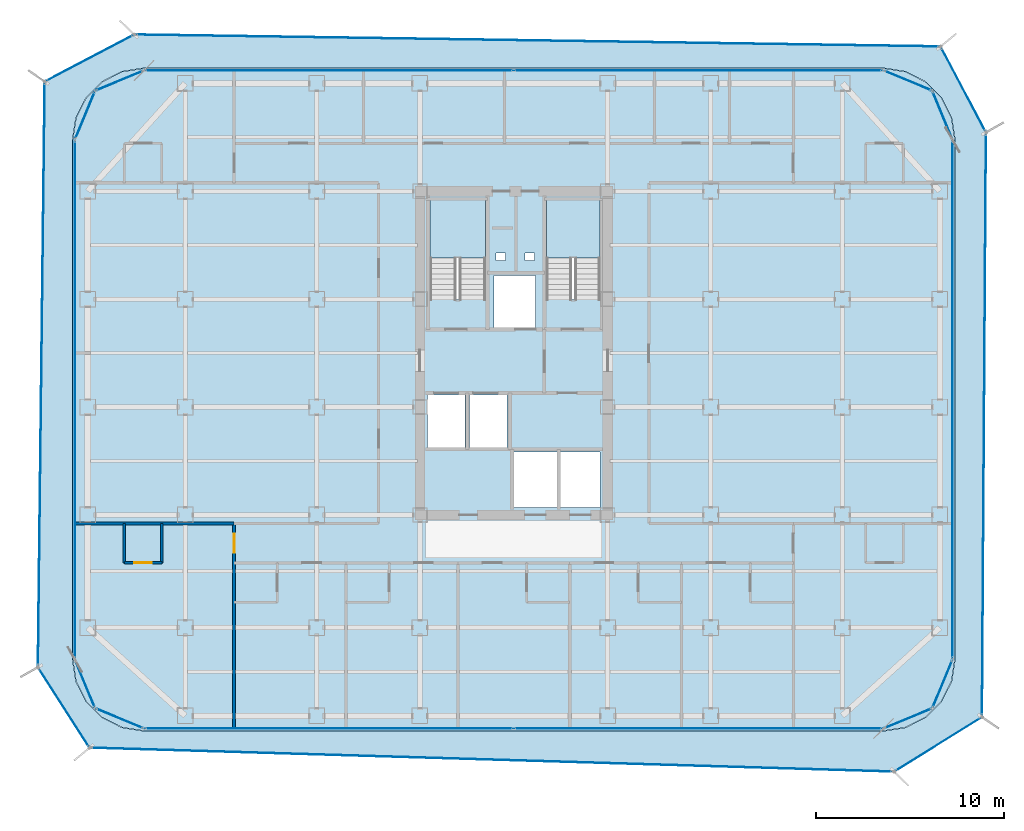
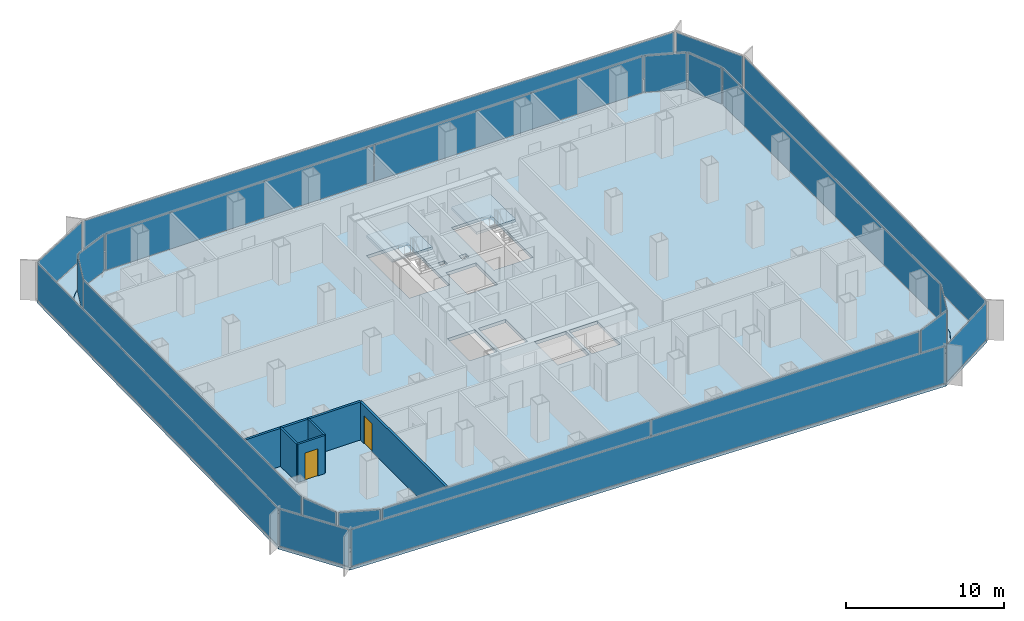
# One storey, part 15 of 21: 22 plates, 5 walls, 4 slabs, 2 doors, 2 openings, 22 elements without a shape of their own.
"""IFC4 building model written with IfcOpenShell, lengths in metres."""

from ifc_helpers import new_model, si_unit, direction, frame, frame_2d, origin, origin_2d, place, context, subcontext, project, spatial, polyline, rectangle, outline, extrude, source, transform, mapped, material, layer, layer_set, type_object, element, fill, aggregate, save


model = new_model("IFC4")

# Units and contexts
model_context = context("Model", 3, precision=1e-05, world=origin(), true_north=direction((0.0, 1.0)))
body_context = subcontext(model_context, "Body", "Model", "MODEL_VIEW")
ifc_project = project(units=[si_unit("LENGTHUNIT", "METRE"), si_unit("AREAUNIT", "SQUARE_METRE"), si_unit("VOLUMEUNIT", "CUBIC_METRE"), si_unit("PLANEANGLEUNIT", "RADIAN"), si_unit("MASSUNIT", "GRAM", prefix="KILO")], contexts=[model_context])

# Site, building, storey
site_placement = place(None, origin())
site = spatial("IfcSite", under=ifc_project, at=site_placement, CompositionType="ELEMENT")
building_placement = place(site_placement, origin())
building = spatial("IfcBuilding", under=site, at=building_placement, Name="Kolveth Station Tower", CompositionType="ELEMENT")
storey_placement = place(building_placement, frame((0.0, 0.0, 115.10009765625)))
storey = spatial("IfcBuildingStorey", under=building, at=storey_placement, Name="L31", CompositionType="ELEMENT", Elevation=115.10009765625)

# Slab
ifc_material_1 = material(Name="Concrete C40/50", Category="concrete")
ifc_layer_1 = layer(ifc_material_1, 0.25)
ifc_layer_set_1 = layer_set([ifc_layer_1], Name="Concrete C40/50")
slab_type_1 = type_object("IfcSlabType", Name="Slab_SF-250", PredefinedType="FLOOR", material=ifc_layer_set_1)
slab_1_placement = place(storey_placement, frame((0.0, 0.0, -0.25)))
element("IfcSlab", 1, at=slab_1_placement, inside=storey, type_object=slab_type_1, Name="L31 Tower Structural Floor Slab", PredefinedType="FLOOR", context=body_context, shape_type="SweptSolid", body=[
    extrude(outline(polyline([(43.199951171875, 0.0), (44.374267578125, 0.18603515625), (45.43359375, 0.7255859375), (46.2744140625, 1.56640625), (46.81396484375, 2.625732421875), (47.0, 3.800048828125), (47.0, 31.5), (46.81396484375, 32.67431640625), (46.2744140625, 33.733642578125), (45.43359375, 34.57421875), (44.374267578125, 35.114013671875), (43.199951171875, 35.300048828125), (3.800048828125, 35.300048828125), (2.625732421875, 35.114013671875), (1.56640625, 34.57421875), (0.7255859375, 33.733642578125), (0.18603515625, 32.67431640625), (0.0, 31.5), (0.0, 3.800048828125), (0.18603515625, 2.625732421875), (0.7255859375, 1.56640625), (1.56640625, 0.7255859375), (2.625732421875, 0.18603515625), (3.800048828125, 0.0), (43.199951171875, 0.0)]), holes=[polyline([(19.0400390625, 22.985107421875), (22.0, 22.985107421875), (22.0, 28.39990234375), (19.0400390625, 28.39990234375), (19.0400390625, 22.985107421875)]), polyline([(25.239990234375, 22.985107421875), (28.10009765625, 22.985107421875), (28.10009765625, 28.39990234375), (25.239990234375, 28.39990234375), (25.239990234375, 22.985107421875)]), polyline([(18.89990234375, 15.10009765625), (20.89990234375, 15.10009765625), (20.89990234375, 17.89990234375), (18.89990234375, 17.89990234375), (18.89990234375, 15.10009765625)]), polyline([(21.14990234375, 15.10009765625), (23.14990234375, 15.10009765625), (23.14990234375, 17.89990234375), (21.14990234375, 17.89990234375), (21.14990234375, 15.10009765625)]), polyline([(22.449951171875, 21.5), (24.64990234375, 21.5), (24.64990234375, 24.25), (22.449951171875, 24.25), (22.449951171875, 21.5)]), polyline([(23.5, 11.89990234375), (25.800048828125, 11.89990234375), (25.800048828125, 14.85009765625), (23.5, 14.85009765625), (23.5, 11.89990234375)]), polyline([(26.0, 11.89990234375), (28.10009765625, 11.89990234375), (28.10009765625, 14.85009765625), (26.0, 14.85009765625), (26.0, 11.89990234375)]), polyline([(22.550048828125, 25.050048828125), (23.050048828125, 25.050048828125), (23.050048828125, 25.449951171875), (22.550048828125, 25.449951171875), (22.550048828125, 25.050048828125)]), polyline([(24.10009765625, 25.050048828125), (24.60009765625, 25.050048828125), (24.60009765625, 25.449951171875), (24.10009765625, 25.449951171875), (24.10009765625, 25.050048828125)])]), origin(), (0.0, 0.0, 1.0), 0.25),
])

# Stair, slab
stair_type_1 = type_object("IfcStairType", Name="Stair_ST2", PredefinedType="HALF_TURN_STAIR", material=ifc_material_1)
stair_1_placement = place(storey_placement, origin())
stair_1 = element("IfcStair", 2, at=stair_1_placement, inside=storey, type_object=stair_type_1, Name="L31 Tower Exit Stair ST2", PredefinedType="HALF_TURN_STAIR")
ifc_layer_2 = layer(ifc_material_1, 0.18994140625)
ifc_layer_set_2 = layer_set([ifc_layer_2], Name="Concrete C40/50")
slab_type_2 = type_object("IfcSlabType", Name="Slab_SL-190", PredefinedType="LANDING", material=ifc_layer_set_2)
slab_2_placement = place(storey_placement, frame((0.0, 0.0, 1.39990234375)))
slab_2 = element("IfcSlab", 3, at=slab_2_placement, type_object=slab_type_2, Name="ST2 landing 1", PredefinedType="LANDING", context=body_context, shape_type="SweptSolid", body=[
    extrude(outline(polyline([(28.10009765625, 25.18994140625), (28.10009765625, 28.39990234375), (25.239990234375, 28.39990234375), (25.239990234375, 25.18994140625), (28.10009765625, 25.18994140625)])), origin(), (0.0, 0.0, 1.0), 0.199951171875),
])
aggregate(stair_1, [slab_2])

stair_type_2 = type_object("IfcStairType", Name="Stair_ST1", PredefinedType="HALF_TURN_STAIR", material=ifc_material_1)
stair_2_placement = place(storey_placement, origin())
stair_2 = element("IfcStair", 4, at=stair_2_placement, inside=storey, type_object=stair_type_2, Name="L31 Tower Exit Stair ST1", PredefinedType="HALF_TURN_STAIR")
ifc_layer_3 = layer(ifc_material_1, 0.205078125)
ifc_layer_set_3 = layer_set([ifc_layer_3], Name="Concrete C40/50")
slab_type_3 = type_object("IfcSlabType", Name="Slab_SL-205", PredefinedType="LANDING", material=ifc_layer_set_3)
slab_3_placement = place(storey_placement, frame((0.0, 0.0, 1.39990234375)))
slab_3 = element("IfcSlab", 5, at=slab_3_placement, type_object=slab_type_3, Name="ST1 landing 1", PredefinedType="LANDING", context=body_context, shape_type="SweptSolid", body=[
    extrude(outline(polyline([(22.0, 25.18994140625), (22.0, 28.39990234375), (19.0400390625, 28.39990234375), (19.0400390625, 25.18994140625), (22.0, 25.18994140625)])), origin(), (0.0, 0.0, 1.0), 0.199951171875),
])
aggregate(stair_2, [slab_3])

# Slab
ifc_layer_4 = layer(ifc_material_1, 0.2099609375)
ifc_layer_set_4 = layer_set([ifc_layer_4], Name="Concrete C40/50")
slab_type_4 = type_object("IfcSlabType", Name="Slab_ST-210", PredefinedType="FLOOR", material=ifc_layer_set_4)
slab_4_placement = place(storey_placement, frame((0.0, 0.0, -0.210205078125)))
element("IfcSlab", 6, at=slab_4_placement, inside=storey, type_object=slab_type_4, Name="L31 Double-Skin Cavity Structural Ledger Ring", PredefinedType="FLOOR", context=body_context, shape_type="SweptSolid", body=[
    extrude(outline(polyline([(0.90283203125, -0.901123046875), (-1.848388671875, 3.3876953125), (-1.48828125, 34.590576171875), (3.280517578125, 37.09521484375), (46.24462890625, 36.459716796875), (48.6611328125, 31.888671875), (48.449462890625, 0.731689453125), (43.76708984375, -2.177734375), (0.90283203125, -0.901123046875)]), holes=[polyline([(43.202392578125, -0.014892578125), (44.376708984375, 0.171142578125), (44.381103515625, 0.172607421875), (45.4404296875, 0.71240234375), (45.444091796875, 0.715087890625), (46.284912109375, 1.555908203125), (46.28759765625, 1.5595703125), (46.827392578125, 2.618896484375), (46.828857421875, 2.623291015625), (47.014892578125, 3.797607421875), (47.014892578125, 3.800048828125), (47.014892578125, 31.5), (47.014892578125, 31.502197265625), (46.828857421875, 32.676513671875), (46.827392578125, 32.68115234375), (46.28759765625, 33.740478515625), (46.284912109375, 33.744140625), (45.444091796875, 34.5849609375), (45.4404296875, 34.587646484375), (44.381103515625, 35.12744140625), (44.376708984375, 35.12890625), (43.202392578125, 35.314697265625), (43.199951171875, 35.31494140625), (3.800048828125, 35.31494140625), (3.797607421875, 35.314697265625), (2.623291015625, 35.12890625), (2.618896484375, 35.12744140625), (1.5595703125, 34.587646484375), (1.555908203125, 34.5849609375), (0.715087890625, 33.744140625), (0.71240234375, 33.740478515625), (0.172607421875, 32.68115234375), (0.171142578125, 32.676513671875), (-0.014892578125, 31.502197265625), (-0.014892578125, 31.5), (-0.014892578125, 3.800048828125), (-0.014892578125, 3.797607421875), (0.171142578125, 2.623291015625), (0.172607421875, 2.618896484375), (0.71240234375, 1.5595703125), (0.715087890625, 1.555908203125), (1.555908203125, 0.715087890625), (1.5595703125, 0.71240234375), (2.618896484375, 0.172607421875), (2.623291015625, 0.171142578125), (3.797607421875, -0.014892578125), (3.800048828125, -0.014892578125), (43.199951171875, -0.014892578125), (43.202392578125, -0.014892578125)])]), origin(), (0.0, 0.0, 1.0), 0.210205078125),
])

# Curtain wall, plate
ifc_material_2 = material(Name="Aluminium 6063-T6 and low-E dark glass", Category="aluminium")
ifc_layer_5 = layer(ifc_material_2, 0.18994140625)
ifc_layer_set_5 = layer_set([ifc_layer_5], Name="Aluminium 6063-T6 and low-E dark glass")
curtain_wall_type_1 = type_object("IfcCurtainWallType", Name="CurtainWall_CW-Z2", PredefinedType="NOTDEFINED", material=ifc_layer_set_5)
curtain_wall_1_placement = place(storey_placement, origin())
curtain_wall_1 = element("IfcCurtainWall", 7, at=curtain_wall_1_placement, inside=storey, type_object=curtain_wall_type_1, Name="L31 Inner Thermal Curtain Wall 1", PredefinedType="NOTDEFINED")
ifc_material_3 = material(Name="Architectural low-E dark glass", Category="glass")
ifc_layer_6 = layer(ifc_material_3, 0.0380859375)
ifc_layer_set_6 = layer_set([ifc_layer_6], Name="Architectural low-E dark glass")
plate_type_1 = type_object("IfcPlateType", Name="Panel_GL2", PredefinedType="CURTAIN_PANEL", material=ifc_layer_set_6)
shared_shape_1 = source(origin(), body_context, "Body", "SweptSolid", [
    extrude(rectangle(XDim=2.670654296875, YDim=0.0380859375, at=origin_2d()), origin(), (0.0, 0.0, 1.0), 2.803955078125),
])
plate_1_placement = place(storey_placement, frame((44.501220703125, 0.658935546875, 0.07275390625), z_axis=(0.0, 0.0, 1.0), x_axis=(0.923887883787, 0.38266326998, 0.0)))
plate_1 = element("IfcPlate", 8, at=plate_1_placement, type_object=plate_type_1, Name="CW-Z2 panel 1.1", PredefinedType="CURTAIN_PANEL", context=body_context, shape_type="MappedRepresentation", body=[
    mapped(shared_shape_1, transform((0.0, 0.0, 0.0), x_axis=(1.0, 0.0, 0.0), y_axis=(0.0, 1.0, 0.0), z_axis=(0.0, 0.0, 1.0), scale=1.0)),
])
aggregate(curtain_wall_1, [plate_1])

curtain_wall_2_placement = place(storey_placement, origin())
curtain_wall_2 = element("IfcCurtainWall", 9, at=curtain_wall_2_placement, inside=storey, type_object=curtain_wall_type_1, Name="L31 Inner Thermal Curtain Wall 2", PredefinedType="NOTDEFINED")
plate_2_placement = place(storey_placement, frame((46.341064453125, 2.498779296875, 0.07275390625), z_axis=(0.0, 0.0, 1.0), x_axis=(0.38266326998, 0.923887883787, 0.0)))
plate_2 = element("IfcPlate", 10, at=plate_2_placement, type_object=plate_type_1, Name="CW-Z2 panel 1.1", PredefinedType="CURTAIN_PANEL", context=body_context, shape_type="MappedRepresentation", body=[
    mapped(shared_shape_1, transform((0.0, 0.0, 0.0), x_axis=(1.0, 0.0, 0.0), y_axis=(0.0, 1.0, 0.0), z_axis=(0.0, 0.0, 1.0), scale=1.0)),
])
aggregate(curtain_wall_2, [plate_2])

curtain_wall_3_placement = place(storey_placement, origin())
curtain_wall_3 = element("IfcCurtainWall", 11, at=curtain_wall_3_placement, inside=storey, type_object=curtain_wall_type_1, Name="L31 Inner Thermal Curtain Wall 4", PredefinedType="NOTDEFINED")
plate_3_placement = place(storey_placement, frame((46.341064453125, 32.801025390625, 0.07275390625), z_axis=(0.0, 0.0, 1.0), x_axis=(-0.38266326998, 0.923887883787, 0.0)))
plate_3 = element("IfcPlate", 12, at=plate_3_placement, type_object=plate_type_1, Name="CW-Z2 panel 1.1", PredefinedType="CURTAIN_PANEL", context=body_context, shape_type="MappedRepresentation", body=[
    mapped(shared_shape_1, transform((0.0, 0.0, 0.0), x_axis=(1.0, 0.0, 0.0), y_axis=(0.0, 1.0, 0.0), z_axis=(0.0, 0.0, 1.0), scale=1.0)),
])
aggregate(curtain_wall_3, [plate_3])

curtain_wall_4_placement = place(storey_placement, origin())
curtain_wall_4 = element("IfcCurtainWall", 13, at=curtain_wall_4_placement, inside=storey, type_object=curtain_wall_type_1, Name="L31 Inner Thermal Curtain Wall 5", PredefinedType="NOTDEFINED")
plate_4_placement = place(storey_placement, frame((44.501220703125, 34.64111328125, 0.07275390625), z_axis=(0.0, 0.0, 1.0), x_axis=(-0.923887883787, 0.38266326998, 0.0)))
plate_4 = element("IfcPlate", 14, at=plate_4_placement, type_object=plate_type_1, Name="CW-Z2 panel 1.1", PredefinedType="CURTAIN_PANEL", context=body_context, shape_type="MappedRepresentation", body=[
    mapped(shared_shape_1, transform((0.0, 0.0, 0.0), x_axis=(1.0, 0.0, 0.0), y_axis=(0.0, 1.0, 0.0), z_axis=(0.0, 0.0, 1.0), scale=1.0)),
])
aggregate(curtain_wall_4, [plate_4])

curtain_wall_5_placement = place(storey_placement, origin())
curtain_wall_5 = element("IfcCurtainWall", 15, at=curtain_wall_5_placement, inside=storey, type_object=curtain_wall_type_1, Name="L31 Inner Thermal Curtain Wall 7", PredefinedType="NOTDEFINED")
plate_5_placement = place(storey_placement, frame((2.498779296875, 34.64111328125, 0.07275390625), z_axis=(0.0, 0.0, 1.0), x_axis=(-0.923887883787, -0.38266326998, 0.0)))
plate_5 = element("IfcPlate", 16, at=plate_5_placement, type_object=plate_type_1, Name="CW-Z2 panel 1.1", PredefinedType="CURTAIN_PANEL", context=body_context, shape_type="MappedRepresentation", body=[
    mapped(shared_shape_1, transform((0.0, 0.0, 0.0), x_axis=(1.0, 0.0, 0.0), y_axis=(0.0, 1.0, 0.0), z_axis=(0.0, 0.0, 1.0), scale=1.0)),
])
aggregate(curtain_wall_5, [plate_5])

curtain_wall_6_placement = place(storey_placement, origin())
curtain_wall_6 = element("IfcCurtainWall", 17, at=curtain_wall_6_placement, inside=storey, type_object=curtain_wall_type_1, Name="L31 Inner Thermal Curtain Wall 8", PredefinedType="NOTDEFINED")
plate_6_placement = place(storey_placement, frame((0.658935546875, 32.801025390625, 0.07275390625), z_axis=(0.0, 0.0, 1.0), x_axis=(-0.38266326998, -0.923887883787, 0.0)))
plate_6 = element("IfcPlate", 18, at=plate_6_placement, type_object=plate_type_1, Name="CW-Z2 panel 1.1", PredefinedType="CURTAIN_PANEL", context=body_context, shape_type="MappedRepresentation", body=[
    mapped(shared_shape_1, transform((0.0, 0.0, 0.0), x_axis=(1.0, 0.0, 0.0), y_axis=(0.0, 1.0, 0.0), z_axis=(0.0, 0.0, 1.0), scale=1.0)),
])
aggregate(curtain_wall_6, [plate_6])

curtain_wall_7_placement = place(storey_placement, origin())
curtain_wall_7 = element("IfcCurtainWall", 19, at=curtain_wall_7_placement, inside=storey, type_object=curtain_wall_type_1, Name="L31 Inner Thermal Curtain Wall 10", PredefinedType="NOTDEFINED")
plate_7_placement = place(storey_placement, frame((0.658935546875, 2.498779296875, 0.07275390625), z_axis=(0.0, 0.0, 1.0), x_axis=(0.38266326998, -0.923887883787, 0.0)))
plate_7 = element("IfcPlate", 20, at=plate_7_placement, type_object=plate_type_1, Name="CW-Z2 panel 1.1", PredefinedType="CURTAIN_PANEL", context=body_context, shape_type="MappedRepresentation", body=[
    mapped(shared_shape_1, transform((0.0, 0.0, 0.0), x_axis=(1.0, 0.0, 0.0), y_axis=(0.0, 1.0, 0.0), z_axis=(0.0, 0.0, 1.0), scale=1.0)),
])
aggregate(curtain_wall_7, [plate_7])

curtain_wall_8_placement = place(storey_placement, origin())
curtain_wall_8 = element("IfcCurtainWall", 21, at=curtain_wall_8_placement, inside=storey, type_object=curtain_wall_type_1, Name="L31 Inner Thermal Curtain Wall 11", PredefinedType="NOTDEFINED")
plate_8_placement = place(storey_placement, frame((2.498779296875, 0.658935546875, 0.07275390625), z_axis=(0.0, 0.0, 1.0), x_axis=(0.923887883787, -0.38266326998, 0.0)))
plate_8 = element("IfcPlate", 22, at=plate_8_placement, type_object=plate_type_1, Name="CW-Z2 panel 1.1", PredefinedType="CURTAIN_PANEL", context=body_context, shape_type="MappedRepresentation", body=[
    mapped(shared_shape_1, transform((0.0, 0.0, 0.0), x_axis=(1.0, 0.0, 0.0), y_axis=(0.0, 1.0, 0.0), z_axis=(0.0, 0.0, 1.0), scale=1.0)),
])
aggregate(curtain_wall_8, [plate_8])

curtain_wall_9_placement = place(storey_placement, origin())
curtain_wall_9 = element("IfcCurtainWall", 23, at=curtain_wall_9_placement, inside=storey, type_object=curtain_wall_type_1, Name="L31 Inner Thermal Curtain Wall 3", PredefinedType="NOTDEFINED")
shared_shape_2 = source(origin(), body_context, "Body", "SweptSolid", [
    extrude(rectangle(XDim=27.553955078125, YDim=0.0380859375, at=origin_2d()), origin(), (0.0, 0.0, 1.0), 2.803955078125),
])
plate_9_placement = place(storey_placement, frame((46.8798828125, 17.64990234375, 0.07275390625), z_axis=(0.0, 0.0, 1.0), x_axis=(0.0, 1.0, 0.0)))
plate_9 = element("IfcPlate", 24, at=plate_9_placement, type_object=plate_type_1, Name="CW-Z2 panel 1.1", PredefinedType="CURTAIN_PANEL", context=body_context, shape_type="MappedRepresentation", body=[
    mapped(shared_shape_2, transform((0.0, 0.0, 0.0), x_axis=(1.0, 0.0, 0.0), y_axis=(0.0, 1.0, 0.0), z_axis=(0.0, 0.0, 1.0), scale=1.0)),
])
aggregate(curtain_wall_9, [plate_9])

curtain_wall_10_placement = place(storey_placement, origin())
curtain_wall_10 = element("IfcCurtainWall", 25, at=curtain_wall_10_placement, inside=storey, type_object=curtain_wall_type_1, Name="L31 Inner Thermal Curtain Wall 9", PredefinedType="NOTDEFINED")
plate_10_placement = place(storey_placement, frame((0.1201171875, 17.64990234375, 0.07275390625), z_axis=(0.0, 0.0, 1.0), x_axis=(0.0, -1.0, 0.0)))
plate_10 = element("IfcPlate", 26, at=plate_10_placement, type_object=plate_type_1, Name="CW-Z2 panel 1.1", PredefinedType="CURTAIN_PANEL", context=body_context, shape_type="MappedRepresentation", body=[
    mapped(shared_shape_2, transform((0.0, 0.0, 0.0), x_axis=(1.0, 0.0, 0.0), y_axis=(0.0, 1.0, 0.0), z_axis=(0.0, 0.0, 1.0), scale=1.0)),
])
aggregate(curtain_wall_10, [plate_10])

# Curtain wall, plates
curtain_wall_11_placement = place(storey_placement, origin())
curtain_wall_11 = element("IfcCurtainWall", 27, at=curtain_wall_11_placement, inside=storey, type_object=curtain_wall_type_1, Name="L31 Inner Thermal Curtain Wall 6", PredefinedType="NOTDEFINED")
shared_shape_3 = source(origin(), body_context, "Body", "SweptSolid", [
    extrude(rectangle(XDim=19.593994140625, YDim=0.0380859375, at=origin_2d()), origin(), (0.0, 0.0, 1.0), 2.803955078125),
])
plate_11_placement = place(storey_placement, frame((33.330078125, 35.179931640625, 0.07275390625), z_axis=(0.0, 0.0, 1.0), x_axis=(-1.0, 0.0, 0.0)))
plate_11 = element("IfcPlate", 28, at=plate_11_placement, type_object=plate_type_1, Name="CW-Z2 panel 1.1", PredefinedType="CURTAIN_PANEL", context=body_context, shape_type="MappedRepresentation", body=[
    mapped(shared_shape_3, transform((0.0, 0.0, 0.0), x_axis=(1.0, 0.0, 0.0), y_axis=(0.0, 1.0, 0.0), z_axis=(0.0, 0.0, 1.0), scale=1.0)),
])
plate_12_placement = place(storey_placement, frame((13.669921875, 35.179931640625, 0.07275390625), z_axis=(0.0, 0.0, 1.0), x_axis=(-1.0, 0.0, 0.0)))
plate_12 = element("IfcPlate", 29, at=plate_12_placement, type_object=plate_type_1, Name="CW-Z2 panel 2.1", PredefinedType="CURTAIN_PANEL", context=body_context, shape_type="MappedRepresentation", body=[
    mapped(shared_shape_3, transform((0.0, 0.0, 0.0), x_axis=(1.0, 0.0, 0.0), y_axis=(0.0, 1.0, 0.0), z_axis=(0.0, 0.0, 1.0), scale=1.0)),
])
aggregate(curtain_wall_11, [plate_11, plate_12])

curtain_wall_12_placement = place(storey_placement, origin())
curtain_wall_12 = element("IfcCurtainWall", 30, at=curtain_wall_12_placement, inside=storey, type_object=curtain_wall_type_1, Name="L31 Inner Thermal Curtain Wall 12", PredefinedType="NOTDEFINED")
plate_13_placement = place(storey_placement, frame((13.669921875, 0.1201171875, 0.07275390625), z_axis=(0.0, 0.0, 1.0), x_axis=(1.0, 0.0, 0.0)))
plate_13 = element("IfcPlate", 31, at=plate_13_placement, type_object=plate_type_1, Name="CW-Z2 panel 1.1", PredefinedType="CURTAIN_PANEL", context=body_context, shape_type="MappedRepresentation", body=[
    mapped(shared_shape_3, transform((0.0, 0.0, 0.0), x_axis=(1.0, 0.0, 0.0), y_axis=(0.0, 1.0, 0.0), z_axis=(0.0, 0.0, 1.0), scale=1.0)),
])
plate_14_placement = place(storey_placement, frame((33.330078125, 0.1201171875, 0.07275390625), z_axis=(0.0, 0.0, 1.0), x_axis=(1.0, 0.0, 0.0)))
plate_14 = element("IfcPlate", 32, at=plate_14_placement, type_object=plate_type_1, Name="CW-Z2 panel 2.1", PredefinedType="CURTAIN_PANEL", context=body_context, shape_type="MappedRepresentation", body=[
    mapped(shared_shape_3, transform((0.0, 0.0, 0.0), x_axis=(1.0, 0.0, 0.0), y_axis=(0.0, 1.0, 0.0), z_axis=(0.0, 0.0, 1.0), scale=1.0)),
])
aggregate(curtain_wall_12, [plate_13, plate_14])

# Curtain wall, plate
ifc_material_4 = material(Name="Black anodized aluminium 6063-T6 and dark solar glass", Category="aluminium")
ifc_layer_7 = layer(ifc_material_4, 0.159912109375)
ifc_layer_set_7 = layer_set([ifc_layer_7], Name="Black anodized aluminium 6063-T6 and dark solar glass")
curtain_wall_type_2 = type_object("IfcCurtainWallType", Name="OUTER SKIN CW-OS", PredefinedType="NOTDEFINED", material=ifc_layer_set_7)
curtain_wall_13_placement = place(storey_placement, origin())
curtain_wall_13 = element("IfcCurtainWall", 33, at=curtain_wall_13_placement, inside=storey, type_object=curtain_wall_type_2, Name="L31 Outer Ventilated Skin Curtain Wall 1", PredefinedType="NOTDEFINED")
ifc_layer_8 = layer(ifc_material_3, 0.028076171875)
ifc_layer_set_8 = layer_set([ifc_layer_8], Name="Architectural low-E dark glass")
plate_type_2 = type_object("IfcPlateType", Name="Panel_GL-OS", PredefinedType="CURTAIN_PANEL", material=ifc_layer_set_8)
shared_shape_4 = source(origin(), body_context, "Body", "SweptSolid", [
    extrude(rectangle(XDim=5.3466796875, YDim=0.028076171875, at=origin_2d()), origin(), (0.0, 0.0, 1.0), 2.843994140625),
])
plate_15_placement = place(storey_placement, frame((46.108154296875, -0.72314453125, 0.07275390625), z_axis=(0.0, 0.0, 1.0), x_axis=(0.849397635884, 0.527753404684, 0.0)))
plate_15 = element("IfcPlate", 34, at=plate_15_placement, type_object=plate_type_2, Name="CW-OS panel 1.1", PredefinedType="CURTAIN_PANEL", context=body_context, shape_type="MappedRepresentation", body=[
    mapped(shared_shape_4, transform((0.0, 0.0, 0.0), x_axis=(1.0, 0.0, 0.0), y_axis=(0.0, 1.0, 0.0), z_axis=(0.0, 0.0, 1.0), scale=1.0)),
])
aggregate(curtain_wall_13, [plate_15])

curtain_wall_14_placement = place(storey_placement, origin())
curtain_wall_14 = element("IfcCurtainWall", 35, at=curtain_wall_14_placement, inside=storey, type_object=curtain_wall_type_2, Name="L31 Outer Ventilated Skin Curtain Wall 2", PredefinedType="NOTDEFINED")
shared_shape_5 = source(origin(), body_context, "Body", "SweptSolid", [
    extrude(rectangle(XDim=30.99169921875, YDim=0.028076171875, at=origin_2d()), origin(), (0.0, 0.0, 1.0), 2.843994140625),
])
plate_16_placement = place(storey_placement, frame((48.55517578125, 16.31005859375, 0.07275390625), z_axis=(0.0, 0.0, 1.0), x_axis=(0.006794442156, 0.999976917511, 0.0)))
plate_16 = element("IfcPlate", 36, at=plate_16_placement, type_object=plate_type_2, Name="CW-OS panel 1.1", PredefinedType="CURTAIN_PANEL", context=body_context, shape_type="MappedRepresentation", body=[
    mapped(shared_shape_5, transform((0.0, 0.0, 0.0), x_axis=(1.0, 0.0, 0.0), y_axis=(0.0, 1.0, 0.0), z_axis=(0.0, 0.0, 1.0), scale=1.0)),
])
aggregate(curtain_wall_14, [plate_16])

curtain_wall_15_placement = place(storey_placement, origin())
curtain_wall_15 = element("IfcCurtainWall", 37, at=curtain_wall_15_placement, inside=storey, type_object=curtain_wall_type_2, Name="L31 Outer Ventilated Skin Curtain Wall 3", PredefinedType="NOTDEFINED")
shared_shape_6 = source(origin(), body_context, "Body", "SweptSolid", [
    extrude(rectangle(XDim=5.00439453125, YDim=0.028076171875, at=origin_2d()), origin(), (0.0, 0.0, 1.0), 2.843994140625),
])
plate_17_placement = place(storey_placement, frame((47.452880859375, 34.17431640625, 0.07275390625), z_axis=(0.0, 0.0, 1.0), x_axis=(-0.467344685818, 0.884075191733, 0.0)))
plate_17 = element("IfcPlate", 38, at=plate_17_placement, type_object=plate_type_2, Name="CW-OS panel 1.1", PredefinedType="CURTAIN_PANEL", context=body_context, shape_type="MappedRepresentation", body=[
    mapped(shared_shape_6, transform((0.0, 0.0, 0.0), x_axis=(1.0, 0.0, 0.0), y_axis=(0.0, 1.0, 0.0), z_axis=(0.0, 0.0, 1.0), scale=1.0)),
])
aggregate(curtain_wall_15, [plate_17])

curtain_wall_16_placement = place(storey_placement, origin())
curtain_wall_16 = element("IfcCurtainWall", 39, at=curtain_wall_16_placement, inside=storey, type_object=curtain_wall_type_2, Name="L31 Outer Ventilated Skin Curtain Wall 4", PredefinedType="NOTDEFINED")
shared_shape_7 = source(origin(), body_context, "Body", "SweptSolid", [
    extrude(rectangle(XDim=42.802978515625, YDim=0.028076171875, at=origin_2d()), origin(), (0.0, 0.0, 1.0), 2.843994140625),
])
plate_18_placement = place(storey_placement, frame((24.762451171875, 36.777587890625, 0.07275390625), z_axis=(0.0, 0.0, 1.0), x_axis=(-0.999890625929, 0.014789732241, 0.0)))
plate_18 = element("IfcPlate", 40, at=plate_18_placement, type_object=plate_type_2, Name="CW-OS panel 1.1", PredefinedType="CURTAIN_PANEL", context=body_context, shape_type="MappedRepresentation", body=[
    mapped(shared_shape_7, transform((0.0, 0.0, 0.0), x_axis=(1.0, 0.0, 0.0), y_axis=(0.0, 1.0, 0.0), z_axis=(0.0, 0.0, 1.0), scale=1.0)),
])
aggregate(curtain_wall_16, [plate_18])

curtain_wall_17_placement = place(storey_placement, origin())
curtain_wall_17 = element("IfcCurtainWall", 41, at=curtain_wall_17_placement, inside=storey, type_object=curtain_wall_type_2, Name="L31 Outer Ventilated Skin Curtain Wall 5", PredefinedType="NOTDEFINED")
shared_shape_8 = source(origin(), body_context, "Body", "SweptSolid", [
    extrude(rectangle(XDim=5.220458984375, YDim=0.028076171875, at=origin_2d()), origin(), (0.0, 0.0, 1.0), 2.843994140625),
])
plate_19_placement = place(storey_placement, frame((0.89599609375, 35.843017578125, 0.07275390625), z_axis=(0.0, 0.0, 1.0), x_axis=(-0.885307342433, -0.465006354186, 0.0)))
plate_19 = element("IfcPlate", 42, at=plate_19_placement, type_object=plate_type_2, Name="CW-OS panel 1.1", PredefinedType="CURTAIN_PANEL", context=body_context, shape_type="MappedRepresentation", body=[
    mapped(shared_shape_8, transform((0.0, 0.0, 0.0), x_axis=(1.0, 0.0, 0.0), y_axis=(0.0, 1.0, 0.0), z_axis=(0.0, 0.0, 1.0), scale=1.0)),
])
aggregate(curtain_wall_17, [plate_19])

curtain_wall_18_placement = place(storey_placement, origin())
curtain_wall_18 = element("IfcCurtainWall", 43, at=curtain_wall_18_placement, inside=storey, type_object=curtain_wall_type_2, Name="L31 Outer Ventilated Skin Curtain Wall 6", PredefinedType="NOTDEFINED")
shared_shape_9 = source(origin(), body_context, "Body", "SweptSolid", [
    extrude(rectangle(XDim=31.0390625, YDim=0.028076171875, at=origin_2d()), origin(), (0.0, 0.0, 1.0), 2.843994140625),
])
plate_20_placement = place(storey_placement, frame((-1.66845703125, 18.989013671875, 0.07275390625), z_axis=(0.0, 0.0, 1.0), x_axis=(-0.011546196923, -0.999933340447, 0.0)))
plate_20 = element("IfcPlate", 44, at=plate_20_placement, type_object=plate_type_2, Name="CW-OS panel 1.1", PredefinedType="CURTAIN_PANEL", context=body_context, shape_type="MappedRepresentation", body=[
    mapped(shared_shape_9, transform((0.0, 0.0, 0.0), x_axis=(1.0, 0.0, 0.0), y_axis=(0.0, 1.0, 0.0), z_axis=(0.0, 0.0, 1.0), scale=1.0)),
])
aggregate(curtain_wall_18, [plate_20])

curtain_wall_19_placement = place(storey_placement, origin())
curtain_wall_19 = element("IfcCurtainWall", 45, at=curtain_wall_19_placement, inside=storey, type_object=curtain_wall_type_2, Name="L31 Outer Ventilated Skin Curtain Wall 7", PredefinedType="NOTDEFINED")
shared_shape_10 = source(origin(), body_context, "Body", "SweptSolid", [
    extrude(rectangle(XDim=4.929443359375, YDim=0.028076171875, at=origin_2d()), origin(), (0.0, 0.0, 1.0), 2.843994140625),
])
plate_21_placement = place(storey_placement, frame((-0.472900390625, 1.2431640625, 0.07275390625), z_axis=(0.0, 0.0, 1.0), x_axis=(0.539976730122, -0.841679945661, 0.0)))
plate_21 = element("IfcPlate", 46, at=plate_21_placement, type_object=plate_type_2, Name="CW-OS panel 1.1", PredefinedType="CURTAIN_PANEL", context=body_context, shape_type="MappedRepresentation", body=[
    mapped(shared_shape_10, transform((0.0, 0.0, 0.0), x_axis=(1.0, 0.0, 0.0), y_axis=(0.0, 1.0, 0.0), z_axis=(0.0, 0.0, 1.0), scale=1.0)),
])
aggregate(curtain_wall_19, [plate_21])

curtain_wall_20_placement = place(storey_placement, origin())
curtain_wall_20 = element("IfcCurtainWall", 47, at=curtain_wall_20_placement, inside=storey, type_object=curtain_wall_type_2, Name="L31 Outer Ventilated Skin Curtain Wall 8", PredefinedType="NOTDEFINED")
shared_shape_11 = source(origin(), body_context, "Body", "SweptSolid", [
    extrude(rectangle(XDim=42.717041015625, YDim=0.028076171875, at=origin_2d()), origin(), (0.0, 0.0, 1.0), 2.843994140625),
])
plate_22_placement = place(storey_placement, frame((22.3349609375, -1.539306640625, 0.07275390625), z_axis=(0.0, 0.0, 1.0), x_axis=(0.999556796206, -0.029769298917, 0.0)))
plate_22 = element("IfcPlate", 48, at=plate_22_placement, type_object=plate_type_2, Name="CW-OS panel 1.1", PredefinedType="CURTAIN_PANEL", context=body_context, shape_type="MappedRepresentation", body=[
    mapped(shared_shape_11, transform((0.0, 0.0, 0.0), x_axis=(1.0, 0.0, 0.0), y_axis=(0.0, 1.0, 0.0), z_axis=(0.0, 0.0, 1.0), scale=1.0)),
])
aggregate(curtain_wall_20, [plate_22])

# Walls
ifc_material_5 = material(Name="Moisture-resistant gypsum partition")
ifc_layer_9 = layer(ifc_material_5, 0.135009765625)
ifc_layer_set_9 = layer_set([ifc_layer_9], Name="Moisture-resistant gypsum partition")
wall_type_1 = type_object("IfcWallType", Name="Wall_IW-135", PredefinedType="PARTITIONING", material=ifc_layer_set_9)
for number, where, z_axis, x_axis, name in (
    (49, (2.75, 8.949951171875, 0.0), (0.0, 0.0, 1.0), (0.0, 1.0, 0.0), "L31 Partition Wall WL-L31-WS1-BV1"),
    (50, (4.75, 8.949951171875, 0.0), (0.0, 0.0, 1.0), (0.0, 1.0, 0.0), "L31 Partition Wall WL-L31-WS1-BV2"),
):
    element("IfcWall", number, at=place(storey_placement, frame(where, z_axis=z_axis, x_axis=x_axis)), inside=storey, type_object=wall_type_1, Name=name, PredefinedType="PARTITIONING", context=body_context, shape_type="SweptSolid", body=[
        extrude(rectangle(XDim=2.10009765625, YDim=0.135009765625, at=frame_2d((1.050048828125, 0.0))), origin(), (0.0, 0.0, 1.0), 2.949951171875),
    ])

# Wall, opening, door
wall_1_placement = place(storey_placement, frame((2.75, 8.949951171875, 0.0), z_axis=(0.0, 0.0, 1.0), x_axis=(1.0, 0.0, 0.0)))
wall_1 = element("IfcWall", 51, at=wall_1_placement, inside=storey, type_object=wall_type_1, Name="L31 Partition Wall WL-L31-WS1-BH", PredefinedType="PARTITIONING", context=body_context, shape_type="SweptSolid", body=[
    extrude(rectangle(XDim=2.0, YDim=0.135009765625, at=frame_2d((1.0, 0.0))), origin(), (0.0, 0.0, 1.0), 2.949951171875),
])
opening_1_placement = place(wall_1_placement, frame((0.5400390625, 0.0, 0.0)))
opening_1 = element("IfcOpeningElement", 52, at=opening_1_placement, cuts=wall_1, Name="Opening ID2", PredefinedType="OPENING", context=body_context, shape_type="SweptSolid", body=[
    extrude(rectangle(XDim=0.919921875, YDim=2.10009765625, at=frame_2d((0.4599609375, 1.050048828125))), frame((0.0, 0.077392578125, 0.0), z_axis=(0.0, -1.0, 0.0), x_axis=(1.0, 0.0, 0.0)), (0.0, 0.0, 1.0), 0.155029296875),
])
ifc_material_6 = material(Name="Moisture-resistant hardwood leaf", Category="wood")
door_type_1 = type_object("IfcDoorType", Name="Door_ID2", OperationType="NOTDEFINED", PredefinedType="DOOR", material=ifc_material_6)
door_1_placement = place(opening_1_placement, origin())
door_1 = element("IfcDoor", 53, at=door_1_placement, inside=storey, type_object=door_type_1, Name="L31 Hotel Corner Suite WS1 En-Suite Door", OperationType="SINGLE_SWING_LEFT", OverallHeight=2.10009765625, OverallWidth=0.919921875, PredefinedType="DOOR", context=body_context, shape_type="SweptSolid", body=[
    extrude(rectangle(XDim=0.919921875, YDim=2.10009765625, at=frame_2d((0.4599609375, 1.050048828125))), frame((0.0, 0.02490234375, 0.0), z_axis=(0.0, -1.0, 0.0), x_axis=(1.0, 0.0, 0.0)), (0.0, 0.0, 1.0), 0.050048828125),
])
fill(opening_1, door_1)

ifc_material_7 = material(Name="Acoustic double-stud gypsum partition")
ifc_layer_10 = layer(ifc_material_7, 0.1650390625)
ifc_layer_set_10 = layer_set([ifc_layer_10], Name="Acoustic double-stud gypsum partition")
wall_type_2 = type_object("IfcWallType", Name="Wall_IW-165", PredefinedType="PARTITIONING", material=ifc_layer_set_10)
wall_2_placement = place(storey_placement, frame((8.60009765625, 0.159912109375, 0.0), z_axis=(0.0, 0.0, 1.0), x_axis=(0.0, 1.0, 0.0)))
wall_2 = element("IfcWall", 54, at=wall_2_placement, inside=storey, type_object=wall_type_2, Name="L31 Partition Wall WL-L31-END-WS", PredefinedType="PARTITIONING", context=body_context, shape_type="SweptSolid", body=[
    extrude(rectangle(XDim=10.89013671875, YDim=0.1650390625, at=frame_2d((5.445068359375, 0.0))), origin(), (0.0, 0.0, 1.0), 2.949951171875),
])
opening_2_placement = place(wall_2_placement, frame((9.340087890625, 0.0, 0.0)))
opening_2 = element("IfcOpeningElement", 55, at=opening_2_placement, cuts=wall_2, Name="Opening FD3", PredefinedType="OPENING", context=body_context, shape_type="SweptSolid", body=[
    extrude(rectangle(XDim=1.0, YDim=2.14990234375, at=frame_2d((0.5, 1.074951171875))), frame((0.0, 0.092529296875, 0.0), z_axis=(0.0, -1.0, 0.0), x_axis=(1.0, 0.0, 0.0)), (0.0, 0.0, 1.0), 0.18505859375),
])
ifc_material_8 = material(Name="Fire-rated hardwood leaf and aluminium frame", Category="wood")
door_type_2 = type_object("IfcDoorType", Name="Door_FD3", OperationType="NOTDEFINED", PredefinedType="DOOR", material=ifc_material_8)
door_2_placement = place(opening_2_placement, origin())
door_2 = element("IfcDoor", 56, at=door_2_placement, inside=storey, type_object=door_type_2, Name="L31 Hotel Corner Suite WS1 Entrance Door", OperationType="SINGLE_SWING_RIGHT", OverallHeight=2.14990234375, OverallWidth=1.0, PredefinedType="DOOR", context=body_context, shape_type="SweptSolid", body=[
    extrude(rectangle(XDim=1.0, YDim=2.14990234375, at=frame_2d((0.5, 1.074951171875))), frame((0.0, 0.02490234375, 0.0), z_axis=(0.0, -1.0, 0.0), x_axis=(1.0, 0.0, 0.0)), (0.0, 0.0, 1.0), 0.050048828125),
])
fill(opening_2, door_2)

# Wall
wall_3_placement = place(storey_placement, frame((0.159912109375, 11.050048828125, 0.0), z_axis=(0.0, 0.0, 1.0), x_axis=(1.0, 0.0, 0.0)))
element("IfcWall", 57, at=wall_3_placement, inside=storey, type_object=wall_type_2, Name="L31 Partition Wall WL-L31-WM1", PredefinedType="PARTITIONING", context=body_context, shape_type="SweptSolid", body=[
    extrude(rectangle(XDim=8.440185546875, YDim=0.1650390625, at=frame_2d((4.22021484375, 0.0))), origin(), (0.0, 0.0, 1.0), 2.949951171875),
])

save(model, "model.ifc")
